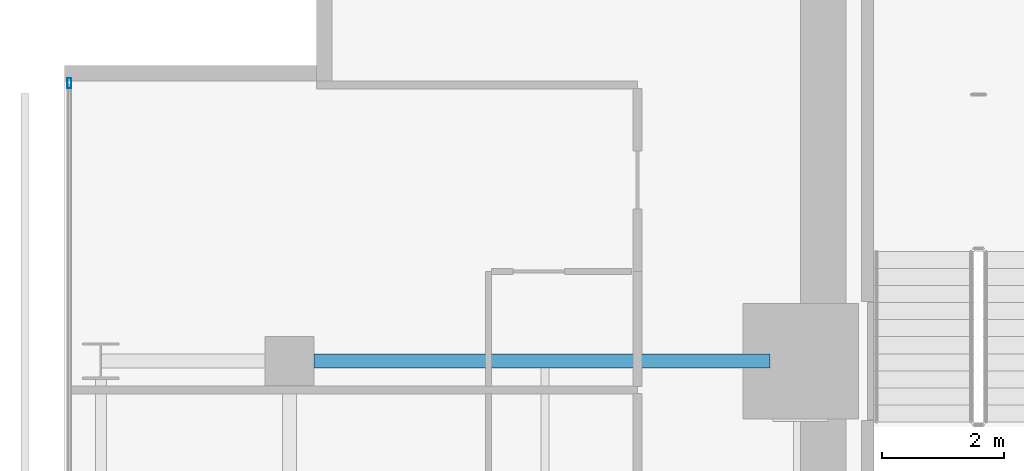
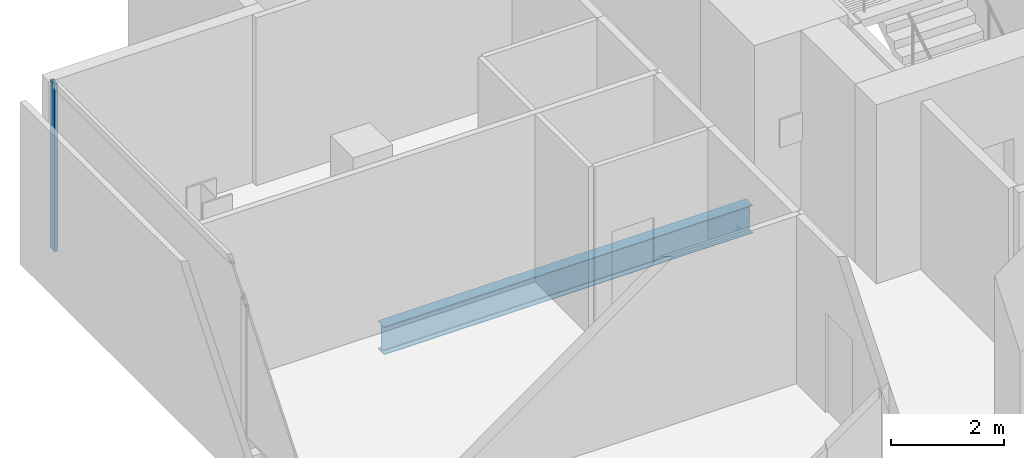
# One storey, part 20 of 34: 1 beam, 1 member, 1 element without a shape of its own.
"""IFC4 building model written with IfcOpenShell, lengths in metres."""

from ifc_helpers import new_model, si_unit, direction, frame, origin, origin_2d, place, context, subcontext, project, spatial, hollow_rectangle, i_section, extrude, material, layer, layer_set, material_profile, profile_set, type_object, element, aggregate, save


model = new_model("IFC4")

# Units and contexts
model_context = context("Model", 3, precision=1e-05, world=origin(), true_north=direction((0.0, 1.0)))
body_context = subcontext(model_context, "Body", "Model", "MODEL_VIEW")
ifc_project = project(units=[si_unit("LENGTHUNIT", "METRE"), si_unit("AREAUNIT", "SQUARE_METRE"), si_unit("VOLUMEUNIT", "CUBIC_METRE"), si_unit("PLANEANGLEUNIT", "RADIAN"), si_unit("MASSUNIT", "GRAM", prefix="KILO")], contexts=[model_context])

# Site, building, storey
site_placement = place(None, origin())
site = spatial("IfcSite", under=ifc_project, at=site_placement, CompositionType="ELEMENT")
building_placement = place(site_placement, origin())
building = spatial("IfcBuilding", under=site, at=building_placement, Name="Maruvema Waterfront Hotel and Observation Tower", CompositionType="ELEMENT")
storey_placement = place(building_placement, frame((0.0, 0.0, 181.300048828125)))
storey = spatial("IfcBuildingStorey", under=building, at=storey_placement, Name="L44", CompositionType="ELEMENT", Elevation=181.300048828125)

# Curtain wall, member
ifc_material_1 = material(Name="Anodised bronze aluminium and solar-control low-E IGU", Category="aluminium")
ifc_layer = layer(ifc_material_1, 0.159912109375, Name="Zone 2 Amber Inner Thermal Curtain Wall System CW-03")
ifc_layer_set = layer_set([ifc_layer], Name="Anodised bronze aluminium and solar-control low-E IGU")
curtain_wall_type = type_object("IfcCurtainWallType", Name="Zone 2 Amber Inner Thermal Curtain Wall System CW-03", PredefinedType="USERDEFINED", material=ifc_layer_set)
curtain_wall_placement = place(storey_placement, origin())
curtain_wall = element("IfcCurtainWall", 1, at=curtain_wall_placement, inside=storey, type_object=curtain_wall_type, Name="L44 Curtain Wall CW-L44-W", ObjectType="UNITISED CURTAIN WALL", PredefinedType="USERDEFINED")
ifc_material_2 = material(Name="Anodised architectural bronze aluminium", Category="aluminium")
ifc_material_profile_1 = material_profile(ifc_material_2, hollow_rectangle(XDim=0.06494140625, YDim=0.1650390625, WallThickness=0.00390625, at=origin_2d()), Name="ALU-M65x165")
ifc_profile_set_1 = profile_set([ifc_material_profile_1], Name="Anodised architectural bronze aluminium")
member_type = type_object("IfcMemberType", Name="Curtain Wall Primary Mullion ALU-M65x165", PredefinedType="MULLION", material=ifc_profile_set_1)
member_placement = place(storey_placement, frame((13.179931640625, 49.570068359375, 0.0), z_axis=(0.0, 0.0, 1.0), x_axis=(1.0, 0.0, 0.0)))
member = element("IfcMember", 2, at=member_placement, type_object=member_type, Name="CW-03 mullion 1", PredefinedType="MULLION", context=body_context, shape_type="SweptSolid", body=[
    extrude(hollow_rectangle(XDim=0.06494140625, YDim=0.1650390625, WallThickness=0.00390625, at=origin_2d()), origin(), (0.0, 0.0, 1.0), 3.60986328125),
])
aggregate(curtain_wall, [member])

# Beam
ifc_material_3 = material(Name="Steel ASTM A572 Grade 50", Category="steel")
ifc_material_profile_2 = material_profile(ifc_material_3, i_section(OverallWidth=0.22802734375, OverallDepth=0.60302734375, WebThickness=0.010498046875, FlangeThickness=0.014892578125, FilletRadius=0.01806640625, at=origin_2d()), Name="W610x101.0")
ifc_profile_set_2 = profile_set([ifc_material_profile_2], Name="Steel ASTM A572 Grade 50")
beam_type = type_object("IfcBeamType", Name="Primary Floor Girder W610x101.0", PredefinedType="BEAM", material=ifc_profile_set_2)
beam_placement = place(storey_placement, frame((17.199951171875, 45.0, -0.54150390625), z_axis=(1.0, 0.0, 0.0), x_axis=(0.0, 1.0, 0.0)))
element("IfcBeam", 3, at=beam_placement, inside=storey, type_object=beam_type, Name="L44 Floor Girder EW-31", PredefinedType="BEAM", context=body_context, shape_type="SweptSolid", body=[
    extrude(i_section(OverallWidth=0.22802734375, OverallDepth=0.60302734375, WebThickness=0.010498046875, FlangeThickness=0.014892578125, FilletRadius=0.01806640625, at=origin_2d()), origin(), (0.0, 0.0, 1.0), 7.5),
])

save(model, "model.ifc")
